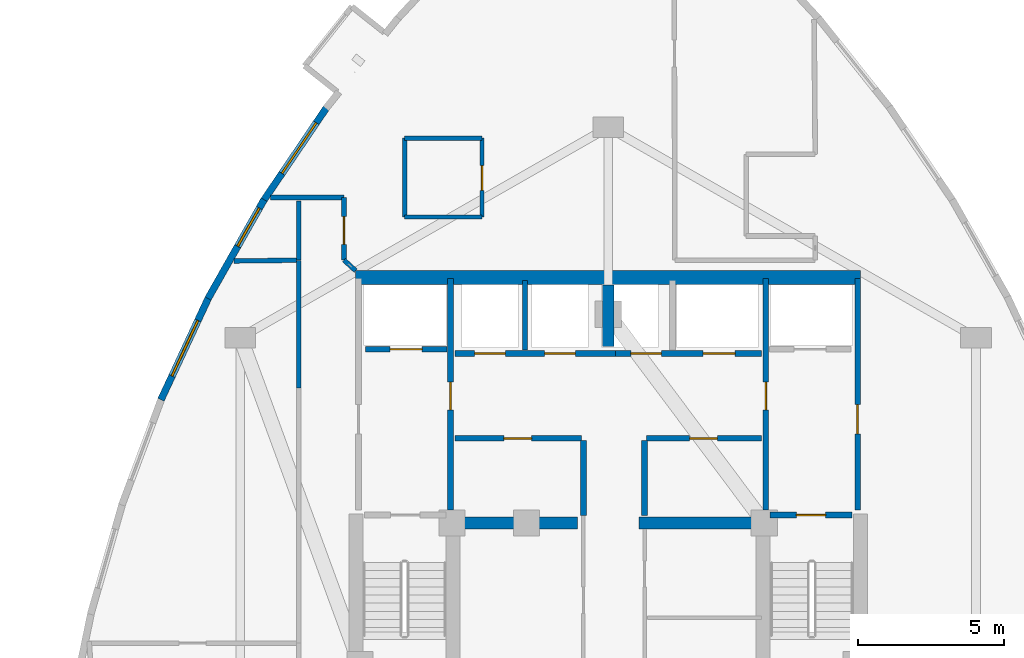
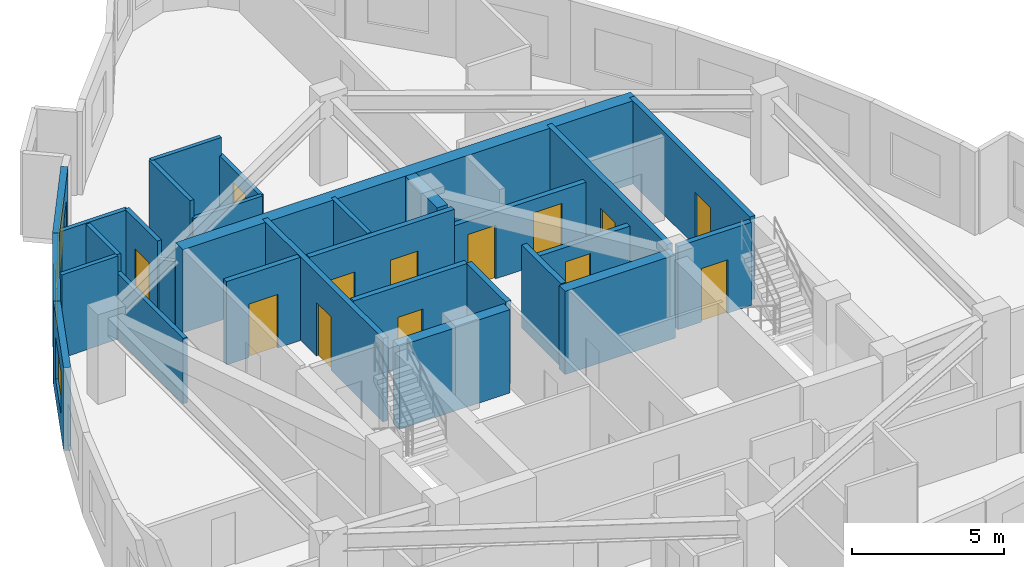
# One storey, part 9 of 12: 29 walls, 13 doors, 3 windows, 16 openings.
"""IFC4 building model written with IfcOpenShell, lengths in metres."""

from ifc_helpers import new_model, si_unit, direction, frame, frame_2d, origin, place, context, subcontext, project, spatial, rectangle, extrude, material, layer, layer_set, type_object, element, fill, save


model = new_model("IFC4")

# Units and contexts
model_context = context("Model", 3, precision=1e-05, world=origin(), true_north=direction((0.0, 1.0)))
body_context = subcontext(model_context, "Body", "Model", "MODEL_VIEW")
ifc_project = project(units=[si_unit("LENGTHUNIT", "METRE"), si_unit("AREAUNIT", "SQUARE_METRE"), si_unit("VOLUMEUNIT", "CUBIC_METRE"), si_unit("PLANEANGLEUNIT", "RADIAN"), si_unit("MASSUNIT", "GRAM", prefix="KILO")], contexts=[model_context])

# Site, building, storey
site_placement = place(None, origin())
site = spatial("IfcSite", under=ifc_project, at=site_placement, CompositionType="ELEMENT")
building_placement = place(site_placement, origin())
building = spatial("IfcBuilding", under=site, at=building_placement, Name="Miruveldt Soraemaru", CompositionType="ELEMENT")
storey_placement = place(building_placement, frame((0.0, 0.0, 216.0)))
storey = spatial("IfcBuildingStorey", under=building, at=storey_placement, Name="L59", CompositionType="ELEMENT", Elevation=216.0)

# Walls
ifc_material_1 = material(Name="Concrete C70/85 (70 MPa)", Category="concrete")
ifc_layer_1 = layer(ifc_material_1, 0.5, Name="Concrete C70/85 (70 MPa)", Category="concrete")
ifc_layer_set_1 = layer_set([ifc_layer_1], Name="Concrete C70/85 (70 MPa)")
wall_type_1 = type_object("IfcWallType", Name="WALL-BW-500", PredefinedType="SHEAR", material=ifc_layer_set_1)
wall_1_placement = place(storey_placement, frame((44.0, 50.10009765625, 0.0), z_axis=(0.0, 0.0, 1.0), x_axis=(0.0, 1.0, 0.0)))
element("IfcWall", 1, at=wall_1_placement, inside=storey, type_object=wall_type_1, Name="L59 Core Buttress Shear Wall BN", PredefinedType="SHEAR", context=body_context, shape_type="SweptSolid", body=[
    extrude(rectangle(XDim=2.099853515625, YDim=0.39990234375, at=frame_2d((1.0498046875, 0.0))), origin(), (0.0, 0.0, 1.0), 3.344970703125),
])
for number, where, z_axis, x_axis, name in (
    (2, (38.75, 44.050048828125, 0.0), (0.0, 0.0, 1.0), (1.0, 0.0, 0.0), "L59 Core Buttress Shear Wall BW"),
    (3, (45.050048828125, 44.050048828125, 0.0), (0.0, 0.0, 1.0), (1.0, 0.0, 0.0), "L59 Core Buttress Shear Wall BE"),
):
    element("IfcWall", number, at=place(storey_placement, frame(where, z_axis=z_axis, x_axis=x_axis)), inside=storey, type_object=wall_type_1, Name=name, PredefinedType="SHEAR", context=body_context, shape_type="SweptSolid", body=[
        extrude(rectangle(XDim=4.199951171875, YDim=0.39990234375, at=frame_2d((2.10009765625, 0.0))), origin(), (0.0, 0.0, 1.0), 3.344970703125),
    ])
ifc_material_2 = material(Name="Concrete C60/75 (60 MPa)", Category="concrete")
ifc_layer_2 = layer(ifc_material_2, 0.47998046875, Name="Concrete C60/75 (60 MPa)", Category="concrete")
ifc_layer_set_2 = layer_set([ifc_layer_2], Name="Concrete C60/75 (60 MPa)")
wall_type_2 = type_object("IfcWallType", Name="WALL-CW-480", PredefinedType="SHEAR", material=ifc_layer_set_2)
wall_2_placement = place(storey_placement, frame((35.35009765625, 52.449951171875, 0.0), z_axis=(0.0, 0.0, 1.0), x_axis=(1.0, 0.0, 0.0)))
element("IfcWall", 4, at=wall_2_placement, inside=storey, type_object=wall_type_2, Name="L59 Central Core Shear Wall N", PredefinedType="SHEAR", context=body_context, shape_type="SweptSolid", body=[
    extrude(rectangle(XDim=17.2998046875, YDim=0.47998046875, at=frame_2d((8.64990234375, 0.0))), origin(), (0.0, 0.0, 1.0), 3.344970703125),
])

# Wall, opening, window
ifc_material_3 = material(Name="Precast concrete C45/55 (45 MPa)", Category="concrete")
ifc_layer_3 = layer(ifc_material_3, 0.239990234375, Name="Precast concrete C45/55 (45 MPa)", Category="concrete")
ifc_layer_set_3 = layer_set([ifc_layer_3], Name="Precast concrete C45/55 (45 MPa)")
wall_type_3 = type_object("IfcWallType", Name="WALL-EXT-PC240", PredefinedType="SOLIDWALL", material=ifc_layer_set_3)
wall_3_placement = place(storey_placement, frame((34.3720703125, 58.307373046875, 0.0), z_axis=(0.0, 0.0, 1.0), x_axis=(-0.560812313673, -0.827942962306, 0.0)))
wall_3 = element("IfcWall", 5, at=wall_3_placement, inside=storey, type_object=wall_type_3, Name="L59 Precast Concrete Facade Wall 9", PredefinedType="SOLIDWALL", context=body_context, shape_type="SweptSolid", body=[
    extrude(rectangle(XDim=3.917236328125, YDim=0.239990234375, at=frame_2d((1.95849609375, 0.0))), origin(), (0.0, 0.0, 1.0), 3.344970703125),
])
opening_1_placement = place(wall_3_placement, frame((0.660888671875, 0.0, 0.800048828125)))
opening_1 = element("IfcOpeningElement", 6, at=opening_1_placement, cuts=wall_3, Name="Opening WN-1", PredefinedType="OPENING", context=body_context, shape_type="SweptSolid", body=[
    extrude(rectangle(XDim=2.10009765625, YDim=1.699951171875, at=frame_2d((1.050048828125, 0.85009765625))), frame((0.0, 0.1298828125, 0.0), z_axis=(0.0, -1.0, 0.0), x_axis=(1.0, 0.0, 0.0)), (0.0, 0.0, 1.0), 0.260009765625),
])
ifc_material_4 = material(Name="Triple low-e insulated glazing", Category="glass")
window_type_1 = type_object("IfcWindowType", Name="WIN-PUNCH-2100x1700", PartitioningType="SINGLE_PANEL", PredefinedType="WINDOW", material=ifc_material_4)
window_1_placement = place(opening_1_placement, origin())
window_1 = element("IfcWindow", 7, at=window_1_placement, inside=storey, type_object=window_type_1, Name="L59 Punched Triple-Glazed Window 09.1", OverallHeight=1.699951171875, OverallWidth=2.10009765625, PartitioningType="SINGLE_PANEL", PredefinedType="WINDOW", context=body_context, shape_type="SweptSolid", body=[
    extrude(rectangle(XDim=2.10009765625, YDim=1.699951171875, at=frame_2d((1.050048828125, 0.85009765625))), frame((0.0, 0.030029296875, 0.0), z_axis=(0.0, -1.0, 0.0), x_axis=(1.0, 0.0, 0.0)), (0.0, 0.0, 1.0), 0.06005859375),
])
fill(opening_1, window_1)

wall_4_placement = place(storey_placement, frame((32.212158203125, 55.123779296875, 0.0), z_axis=(0.0, 0.0, 1.0), x_axis=(-0.493340105608, -0.869836501993, 0.0)))
wall_4 = element("IfcWall", 8, at=wall_4_placement, inside=storey, type_object=wall_type_3, Name="L59 Precast Concrete Facade Wall 10", PredefinedType="SOLIDWALL", context=body_context, shape_type="SweptSolid", body=[
    extrude(rectangle(XDim=3.892578125, YDim=0.239990234375, at=frame_2d((1.9462890625, 0.0))), origin(), (0.0, 0.0, 1.0), 3.344970703125),
])
opening_2_placement = place(wall_4_placement, frame((0.33203125, 0.0, 0.800048828125)))
opening_2 = element("IfcOpeningElement", 9, at=opening_2_placement, cuts=wall_4, Name="Opening WN-3", PredefinedType="OPENING", context=body_context, shape_type="SweptSolid", body=[
    extrude(rectangle(XDim=1.5, YDim=1.60009765625, at=frame_2d((0.75, 0.800048828125))), frame((0.0, 0.1298828125, 0.0), z_axis=(0.0, -1.0, 0.0), x_axis=(1.0, 0.0, 0.0)), (0.0, 0.0, 1.0), 0.260009765625),
])
window_type_2 = type_object("IfcWindowType", Name="WIN-PUNCH-1500x1600", PartitioningType="SINGLE_PANEL", PredefinedType="WINDOW", material=ifc_material_4)
window_2_placement = place(opening_2_placement, origin())
window_2 = element("IfcWindow", 10, at=window_2_placement, inside=storey, type_object=window_type_2, Name="L59 Punched Triple-Glazed Window 10.1", OverallHeight=1.60009765625, OverallWidth=1.5, PartitioningType="SINGLE_PANEL", PredefinedType="WINDOW", context=body_context, shape_type="SweptSolid", body=[
    extrude(rectangle(XDim=1.5, YDim=1.60009765625, at=frame_2d((0.75, 0.800048828125))), frame((0.0, 0.030029296875, 0.0), z_axis=(0.0, -1.0, 0.0), x_axis=(1.0, 0.0, 0.0)), (0.0, 0.0, 1.0), 0.06005859375),
])
fill(opening_2, window_2)

wall_5_placement = place(storey_placement, frame((30.32373046875, 51.7998046875, 0.0), z_axis=(0.0, 0.0, 1.0), x_axis=(-0.422332612053, -0.906440932878, 0.0)))
wall_5 = element("IfcWall", 11, at=wall_5_placement, inside=storey, type_object=wall_type_3, Name="L59 Precast Concrete Facade Wall 11", PredefinedType="SOLIDWALL", context=body_context, shape_type="SweptSolid", body=[
    extrude(rectangle(XDim=3.892822265625, YDim=0.239990234375, at=frame_2d((1.9462890625, 0.0))), origin(), (0.0, 0.0, 1.0), 3.344970703125),
])
opening_3_placement = place(wall_5_placement, frame((0.89697265625, 0.0, 0.800048828125)))
opening_3 = element("IfcOpeningElement", 12, at=opening_3_placement, cuts=wall_5, Name="Opening WN-1", PredefinedType="OPENING", context=body_context, shape_type="SweptSolid", body=[
    extrude(rectangle(XDim=2.10009765625, YDim=1.699951171875, at=frame_2d((1.050048828125, 0.85009765625))), frame((0.0, 0.1298828125, 0.0), z_axis=(0.0, -1.0, 0.0), x_axis=(1.0, 0.0, 0.0)), (0.0, 0.0, 1.0), 0.260009765625),
])
window_3_placement = place(opening_3_placement, origin())
window_3 = element("IfcWindow", 13, at=window_3_placement, inside=storey, type_object=window_type_1, Name="L59 Punched Triple-Glazed Window 11.1", OverallHeight=1.699951171875, OverallWidth=2.10009765625, PartitioningType="SINGLE_PANEL", PredefinedType="WINDOW", context=body_context, shape_type="SweptSolid", body=[
    extrude(rectangle(XDim=2.10009765625, YDim=1.699951171875, at=frame_2d((1.050048828125, 0.85009765625))), frame((0.0, 0.030029296875, 0.0), z_axis=(0.0, -1.0, 0.0), x_axis=(1.0, 0.0, 0.0)), (0.0, 0.0, 1.0), 0.06005859375),
])
fill(opening_3, window_3)

# Wall, opening, door
ifc_material_5 = material(Name="Gypsum plasterboard lining", Category="gypsum")
ifc_layer_4 = layer(ifc_material_5, 0.14990234375, Name="Gypsum plasterboard lining", Category="gypsum")
ifc_layer_set_4 = layer_set([ifc_layer_4], Name="Gypsum plasterboard lining")
wall_type_4 = type_object("IfcWallType", Name="WALL-INT-PLUMB", PredefinedType="PLUMBINGWALL", material=ifc_layer_set_4)
wall_6_placement = place(storey_placement, frame((39.679931640625, 54.530029296875, 0.0), z_axis=(0.0, 0.0, 1.0), x_axis=(0.0, 1.0, 0.0)))
wall_6 = element("IfcWall", 14, at=wall_6_placement, inside=storey, type_object=wall_type_4, Name="L59 Partition Wall 13", PredefinedType="PLUMBINGWALL", context=body_context, shape_type="SweptSolid", body=[
    extrude(rectangle(XDim=2.699951171875, YDim=0.14990234375, at=frame_2d((1.35009765625, 0.0))), origin(), (0.0, 0.0, 1.0), 2.633056640625),
])
opening_4_placement = place(wall_6_placement, frame((0.909912109375, 0.0, 0.0)))
opening_4 = element("IfcOpeningElement", 15, at=opening_4_placement, cuts=wall_6, Name="Opening FD3", PredefinedType="OPENING", context=body_context, shape_type="SweptSolid", body=[
    extrude(rectangle(XDim=0.85009765625, YDim=2.10009765625, at=frame_2d((0.425048828125, 1.050048828125))), frame((0.0, 0.0849609375, 0.0), z_axis=(0.0, -1.0, 0.0), x_axis=(1.0, 0.0, 0.0)), (0.0, 0.0, 1.0), 0.169921875),
])
ifc_material_6 = material(Name="Anodised aluminium EN AW-6063 T6", Category="aluminium")
door_type_1 = type_object("IfcDoorType", Name="DOOR-FD3-850", OperationType="NOTDEFINED", PredefinedType="DOOR", material=ifc_material_6)
door_1_placement = place(opening_4_placement, origin())
door_1 = element("IfcDoor", 16, at=door_1_placement, inside=storey, type_object=door_type_1, Name="L59 Unit 5901 BTH Door", OperationType="SINGLE_SWING_LEFT", OverallHeight=2.10009765625, OverallWidth=0.85009765625, PredefinedType="DOOR", context=body_context, shape_type="SweptSolid", body=[
    extrude(rectangle(XDim=0.85009765625, YDim=2.10009765625, at=frame_2d((0.425048828125, 1.050048828125))), frame((0.0, 0.02490234375, 0.0), z_axis=(0.0, -1.0, 0.0), x_axis=(1.0, 0.0, 0.0)), (0.0, 0.0, 1.0), 0.050048828125),
])
fill(opening_4, door_1)

# Walls
wall_7_placement = place(storey_placement, frame((37.030029296875, 57.22998046875, 0.0), z_axis=(0.0, 0.0, 1.0), x_axis=(0.0, -1.0, 0.0)))
element("IfcWall", 17, at=wall_7_placement, inside=storey, type_object=wall_type_4, Name="L59 Partition Wall 15", PredefinedType="PLUMBINGWALL", context=body_context, shape_type="SweptSolid", body=[
    extrude(rectangle(XDim=2.699951171875, YDim=0.14990234375, at=frame_2d((1.35009765625, 0.0))), origin(), (0.0, 0.0, 1.0), 3.344970703125),
])
wall_8_placement = place(storey_placement, frame((39.679931640625, 57.22998046875, 0.0), z_axis=(0.0, 0.0, 1.0), x_axis=(-1.0, 0.0, 0.0)))
element("IfcWall", 18, at=wall_8_placement, inside=storey, type_object=wall_type_4, Name="L59 Partition Wall 14", PredefinedType="PLUMBINGWALL", context=body_context, shape_type="SweptSolid", body=[
    extrude(rectangle(XDim=2.64990234375, YDim=0.14990234375, at=frame_2d((1.324951171875, 0.0))), origin(), (0.0, 0.0, 1.0), 3.344970703125),
])
wall_9_placement = place(storey_placement, frame((37.030029296875, 54.530029296875, 0.0), z_axis=(0.0, 0.0, 1.0), x_axis=(1.0, 0.0, 0.0)))
element("IfcWall", 19, at=wall_9_placement, inside=storey, type_object=wall_type_4, Name="L59 Partition Wall 16", PredefinedType="PLUMBINGWALL", context=body_context, shape_type="SweptSolid", body=[
    extrude(rectangle(XDim=2.64990234375, YDim=0.14990234375, at=frame_2d((1.324951171875, 0.0))), origin(), (0.0, 0.0, 1.0), 2.633056640625),
])

# Wall, opening, door
ifc_material_7 = material(Name="Concrete C40/50 (40 MPa)", Category="concrete")
ifc_layer_5 = layer(ifc_material_7, 0.159912109375, Name="Concrete C40/50 (40 MPa)", Category="concrete")
ifc_layer_set_5 = layer_set([ifc_layer_5], Name="Concrete C40/50 (40 MPa)")
wall_type_5 = type_object("IfcWallType", Name="WALL-INT-RC160", PredefinedType="SOLIDWALL", material=ifc_layer_set_5)
wall_10_placement = place(storey_placement, frame((34.949951171875, 53.055908203125, 0.0), z_axis=(0.0, 0.0, 1.0), x_axis=(0.0, 1.0, 0.0)))
wall_10 = element("IfcWall", 20, at=wall_10_placement, inside=storey, type_object=wall_type_5, Name="L59 Partition Wall 1", PredefinedType="SOLIDWALL", context=body_context, shape_type="SweptSolid", body=[
    extrude(rectangle(XDim=2.14404296875, YDim=0.159912109375, at=frame_2d((1.072021484375, 0.0))), origin(), (0.0, 0.0, 1.0), 3.344970703125),
])
opening_5_placement = place(wall_10_placement, frame((0.534912109375, 0.0, 0.0)))
opening_5 = element("IfcOpeningElement", 21, at=opening_5_placement, cuts=wall_10, Name="Opening FD2", PredefinedType="OPENING", context=body_context, shape_type="SweptSolid", body=[
    extrude(rectangle(XDim=0.949951171875, YDim=2.14990234375, at=frame_2d((0.47509765625, 1.074951171875))), frame((0.0, 0.08984375, 0.0), z_axis=(0.0, -1.0, 0.0), x_axis=(1.0, 0.0, 0.0)), (0.0, 0.0, 1.0), 0.179931640625),
])
door_type_2 = type_object("IfcDoorType", Name="DOOR-FD2-950", OperationType="NOTDEFINED", PredefinedType="DOOR", material=ifc_material_6)
door_2_placement = place(opening_5_placement, origin())
door_2 = element("IfcDoor", 22, at=door_2_placement, inside=storey, type_object=door_type_2, Name="L59 Unit 5901 Entrance Fire Door", OperationType="SINGLE_SWING_RIGHT", OverallHeight=2.14990234375, OverallWidth=0.949951171875, PredefinedType="DOOR", context=body_context, shape_type="SweptSolid", body=[
    extrude(rectangle(XDim=0.949951171875, YDim=2.14990234375, at=frame_2d((0.47509765625, 1.074951171875))), frame((0.0, 0.02490234375, 0.0), z_axis=(0.0, -1.0, 0.0), x_axis=(1.0, 0.0, 0.0)), (0.0, 0.0, 1.0), 0.050048828125),
])
fill(opening_5, door_2)

# Walls
wall_11_placement = place(storey_placement, frame((33.39990234375, 53.047119140625, 0.0), z_axis=(0.0, 0.0, 1.0), x_axis=(0.0, -1.0, 0.0)))
element("IfcWall", 23, at=wall_11_placement, inside=storey, type_object=wall_type_5, Name="L59 Partition Wall 4", PredefinedType="SOLIDWALL", context=body_context, shape_type="SweptSolid", body=[
    extrude(rectangle(XDim=4.369140625, YDim=0.159912109375, at=frame_2d((2.1845703125, 0.0))), origin(), (0.0, 0.0, 1.0), 2.633056640625),
])
wall_12_placement = place(storey_placement, frame((34.949951171875, 55.199951171875, 0.0), z_axis=(0.0, 0.0, 1.0), x_axis=(-1.0, 0.0, 0.0)))
element("IfcWall", 24, at=wall_12_placement, inside=storey, type_object=wall_type_5, Name="L59 Partition Wall 2", PredefinedType="SOLIDWALL", context=body_context, shape_type="SweptSolid", body=[
    extrude(rectangle(XDim=2.52001953125, YDim=0.159912109375, at=frame_2d((1.260009765625, 0.0))), origin(), (0.0, 0.0, 1.0), 3.344970703125),
])
wall_13_placement = place(storey_placement, frame((41.14990234375, 49.97998046875, 0.0), z_axis=(0.0, 0.0, 1.0), x_axis=(0.0, 1.0, 0.0)))
element("IfcWall", 25, at=wall_13_placement, inside=storey, type_object=wall_type_5, Name="L59 Core Compartment Wall PLH-DIV1", PredefinedType="SOLIDWALL", context=body_context, shape_type="SweptSolid", body=[
    extrude(rectangle(XDim=2.3701171875, YDim=0.159912109375, at=frame_2d((1.18505859375, 0.0))), origin(), (0.0, 0.0, 1.0), 3.344970703125),
])
wall_14_placement = place(storey_placement, frame((31.177001953125, 53.02392578125, 0.0), z_axis=(0.0, 0.0, 1.0), x_axis=(0.999930960818, 0.011750472215, 0.0)))
element("IfcWall", 26, at=wall_14_placement, inside=storey, type_object=wall_type_5, Name="L59 Partition Wall 18", PredefinedType="SOLIDWALL", context=body_context, shape_type="SweptSolid", body=[
    extrude(rectangle(XDim=2.14013671875, YDim=0.159912109375, at=frame_2d((1.070068359375, 0.0))), origin(), (0.0, 0.0, 1.0), 3.344970703125),
])
wall_15_placement = place(storey_placement, frame((33.39990234375, 55.075927734375, 0.0), z_axis=(0.0, 0.0, 1.0), x_axis=(0.0, -1.0, 0.0)))
element("IfcWall", 27, at=wall_15_placement, inside=storey, type_object=wall_type_5, Name="L59 Partition Wall 3", PredefinedType="SOLIDWALL", context=body_context, shape_type="SweptSolid", body=[
    extrude(rectangle(XDim=2.02001953125, YDim=0.159912109375, at=frame_2d((1.010009765625, 0.0))), origin(), (0.0, 0.0, 1.0), 3.344970703125),
])
wall_16_placement = place(storey_placement, frame((34.949951171875, 53.055908203125, 0.0), z_axis=(0.0, 0.0, 1.0), x_axis=(0.737919899423, -0.674888303377, 0.0)))
element("IfcWall", 28, at=wall_16_placement, inside=storey, type_object=wall_type_5, Name="L59 Partition Closure Return 1", PredefinedType="SOLIDWALL", context=body_context, shape_type="SweptSolid", body=[
    extrude(rectangle(XDim=0.542236328125, YDim=0.159912109375, at=frame_2d((0.27099609375, 0.0))), origin(), (0.0, 0.0, 1.0), 2.633056640625),
])

# Wall, opening, door
ifc_layer_6 = layer(ifc_material_7, 0.199951171875, Name="Concrete C40/50 (40 MPa)", Category="concrete")
ifc_layer_set_6 = layer_set([ifc_layer_6], Name="Concrete C40/50 (40 MPa)")
wall_type_6 = type_object("IfcWallType", Name="WALL-INT-RC200", PredefinedType="SOLIDWALL", material=ifc_layer_set_6)
wall_17_placement = place(storey_placement, frame((52.550048828125, 44.5, 0.0), z_axis=(0.0, 0.0, 1.0), x_axis=(0.0, 1.0, 0.0)))
wall_17 = element("IfcWall", 29, at=wall_17_placement, inside=storey, type_object=wall_type_6, Name="L59 Core Compartment Wall FFE-OUT", PredefinedType="SOLIDWALL", context=body_context, shape_type="SweptSolid", body=[
    extrude(rectangle(XDim=7.919921875, YDim=0.199951171875, at=frame_2d((3.9599609375, 0.0))), origin(), (0.0, 0.0, 1.0), 3.344970703125),
])
opening_6_placement = place(wall_17_placement, frame((2.60009765625, 0.0, 0.0)))
opening_6 = element("IfcOpeningElement", 30, at=opening_6_placement, cuts=wall_17, Name="Opening FD1", PredefinedType="OPENING", context=body_context, shape_type="SweptSolid", body=[
    extrude(rectangle(XDim=1.0, YDim=2.14990234375, at=frame_2d((0.5, 1.074951171875))), frame((0.0, 0.10986328125, 0.0), z_axis=(0.0, -1.0, 0.0), x_axis=(1.0, 0.0, 0.0)), (0.0, 0.0, 1.0), 0.219970703125),
])
door_type_3 = type_object("IfcDoorType", Name="DOOR-FD1-1000", OperationType="NOTDEFINED", PredefinedType="DOOR", material=ifc_material_6)
door_3_placement = place(opening_6_placement, frame((1.0, 0.0, 0.0), z_axis=(0.0, 0.0, 1.0), x_axis=(-1.0, 0.0, 0.0)))
door_3 = element("IfcDoor", 31, at=door_3_placement, inside=storey, type_object=door_type_3, Name="L59 East Firefighting Lobby Exit Door", OperationType="SINGLE_SWING_RIGHT", OverallHeight=2.14990234375, OverallWidth=1.0, PredefinedType="DOOR", context=body_context, shape_type="SweptSolid", body=[
    extrude(rectangle(XDim=1.0, YDim=2.14990234375, at=frame_2d((0.5, 1.074951171875))), frame((0.0, 0.02490234375, 0.0), z_axis=(0.0, -1.0, 0.0), x_axis=(1.0, 0.0, 0.0)), (0.0, 0.0, 1.0), 0.050048828125),
])
fill(opening_6, door_3)

wall_18_placement = place(storey_placement, frame((38.60009765625, 44.5, 0.0), z_axis=(0.0, 0.0, 1.0), x_axis=(0.0, 1.0, 0.0)))
wall_18 = element("IfcWall", 32, at=wall_18_placement, inside=storey, type_object=wall_type_6, Name="L59 Core Compartment Wall FFW-IN", PredefinedType="SOLIDWALL", context=body_context, shape_type="SweptSolid", body=[
    extrude(rectangle(XDim=7.919921875, YDim=0.199951171875, at=frame_2d((3.9599609375, 0.0))), origin(), (0.0, 0.0, 1.0), 3.344970703125),
])
opening_7_placement = place(wall_18_placement, frame((3.425048828125, 0.0, 0.0)))
opening_7 = element("IfcOpeningElement", 33, at=opening_7_placement, cuts=wall_18, Name="Opening FD2", PredefinedType="OPENING", context=body_context, shape_type="SweptSolid", body=[
    extrude(rectangle(XDim=0.949951171875, YDim=2.14990234375, at=frame_2d((0.47509765625, 1.074951171875))), frame((0.0, 0.10986328125, 0.0), z_axis=(0.0, -1.0, 0.0), x_axis=(1.0, 0.0, 0.0)), (0.0, 0.0, 1.0), 0.219970703125),
])
door_4_placement = place(opening_7_placement, frame((0.949951171875, 0.0, 0.0), z_axis=(0.0, 0.0, 1.0), x_axis=(-1.0, 0.0, 0.0)))
door_4 = element("IfcDoor", 34, at=door_4_placement, inside=storey, type_object=door_type_2, Name="L59 Lift Lobby to West Fire Lobby Door", OperationType="SINGLE_SWING_RIGHT", OverallHeight=2.14990234375, OverallWidth=0.949951171875, PredefinedType="DOOR", context=body_context, shape_type="SweptSolid", body=[
    extrude(rectangle(XDim=0.949951171875, YDim=2.14990234375, at=frame_2d((0.47509765625, 1.074951171875))), frame((0.0, 0.02490234375, 0.0), z_axis=(0.0, -1.0, 0.0), x_axis=(1.0, 0.0, 0.0)), (0.0, 0.0, 1.0), 0.050048828125),
])
fill(opening_7, door_4)

wall_19_placement = place(storey_placement, frame((49.39990234375, 44.5, 0.0), z_axis=(0.0, 0.0, 1.0), x_axis=(0.0, 1.0, 0.0)))
wall_19 = element("IfcWall", 35, at=wall_19_placement, inside=storey, type_object=wall_type_6, Name="L59 Core Compartment Wall FFE-IN", PredefinedType="SOLIDWALL", context=body_context, shape_type="SweptSolid", body=[
    extrude(rectangle(XDim=7.919921875, YDim=0.199951171875, at=frame_2d((3.9599609375, 0.0))), origin(), (0.0, 0.0, 1.0), 3.344970703125),
])
opening_8_placement = place(wall_19_placement, frame((3.425048828125, 0.0, 0.0)))
opening_8 = element("IfcOpeningElement", 36, at=opening_8_placement, cuts=wall_19, Name="Opening FD2", PredefinedType="OPENING", context=body_context, shape_type="SweptSolid", body=[
    extrude(rectangle(XDim=0.949951171875, YDim=2.14990234375, at=frame_2d((0.47509765625, 1.074951171875))), frame((0.0, 0.10986328125, 0.0), z_axis=(0.0, -1.0, 0.0), x_axis=(1.0, 0.0, 0.0)), (0.0, 0.0, 1.0), 0.219970703125),
])
door_5_placement = place(opening_8_placement, origin())
door_5 = element("IfcDoor", 37, at=door_5_placement, inside=storey, type_object=door_type_2, Name="L59 Lift Lobby to East Fire Lobby Door", OperationType="SINGLE_SWING_LEFT", OverallHeight=2.14990234375, OverallWidth=0.949951171875, PredefinedType="DOOR", context=body_context, shape_type="SweptSolid", body=[
    extrude(rectangle(XDim=0.949951171875, YDim=2.14990234375, at=frame_2d((0.47509765625, 1.074951171875))), frame((0.0, 0.02490234375, 0.0), z_axis=(0.0, -1.0, 0.0), x_axis=(1.0, 0.0, 0.0)), (0.0, 0.0, 1.0), 0.050048828125),
])
fill(opening_8, door_5)

# Wall, openings, doors
wall_20_placement = place(storey_placement, frame((38.75, 49.85009765625, 0.0), z_axis=(0.0, 0.0, 1.0), x_axis=(1.0, 0.0, 0.0)))
wall_20 = element("IfcWall", 38, at=wall_20_placement, inside=storey, type_object=wall_type_6, Name="L59 Core Compartment Wall ROWA-SW", PredefinedType="SOLIDWALL", context=body_context, shape_type="SweptSolid", body=[
    extrude(rectangle(XDim=5.5, YDim=0.199951171875, at=frame_2d((2.75, 0.0))), origin(), (0.0, 0.0, 1.0), 3.344970703125),
])
opening_9_placement = place(wall_20_placement, frame((0.675048828125, 0.0, 0.0)))
opening_9 = element("IfcOpeningElement", 39, at=opening_9_placement, cuts=wall_20, Name="Opening LD1", PredefinedType="OPENING", context=body_context, shape_type="SweptSolid", body=[
    extrude(rectangle(XDim=1.050048828125, YDim=2.14990234375, at=frame_2d((0.52490234375, 1.074951171875))), frame((0.0, 0.10986328125, 0.0), z_axis=(0.0, -1.0, 0.0), x_axis=(1.0, 0.0, 0.0)), (0.0, 0.0, 1.0), 0.219970703125),
])
opening_10_placement = place(wall_20_placement, frame((3.074951171875, 0.0, 0.0)))
opening_10 = element("IfcOpeningElement", 40, at=opening_10_placement, cuts=wall_20, Name="Opening LD1", PredefinedType="OPENING", context=body_context, shape_type="SweptSolid", body=[
    extrude(rectangle(XDim=1.050048828125, YDim=2.14990234375, at=frame_2d((0.52490234375, 1.074951171875))), frame((0.0, 0.10986328125, 0.0), z_axis=(0.0, -1.0, 0.0), x_axis=(1.0, 0.0, 0.0)), (0.0, 0.0, 1.0), 0.219970703125),
])
door_type_4 = type_object("IfcDoorType", Name="DOOR-LD1-1050", OperationType="SLIDING_TO_LEFT", PredefinedType="DOOR", material=ifc_material_6)
door_6_placement = place(opening_9_placement, origin())
door_6 = element("IfcDoor", 41, at=door_6_placement, inside=storey, type_object=door_type_4, Name="L59 PL-H1 Landing Door", OperationType="SLIDING_TO_LEFT", OverallHeight=2.14990234375, OverallWidth=1.050048828125, PredefinedType="DOOR", context=body_context, shape_type="SweptSolid", body=[
    extrude(rectangle(XDim=1.050048828125, YDim=2.14990234375, at=frame_2d((0.52490234375, 1.074951171875))), frame((0.0, 0.02490234375, 0.0), z_axis=(0.0, -1.0, 0.0), x_axis=(1.0, 0.0, 0.0)), (0.0, 0.0, 1.0), 0.050048828125),
])
fill(opening_9, door_6)
door_7_placement = place(opening_10_placement, origin())
door_7 = element("IfcDoor", 42, at=door_7_placement, inside=storey, type_object=door_type_4, Name="L59 PL-H2 Landing Door", OperationType="SLIDING_TO_LEFT", OverallHeight=2.14990234375, OverallWidth=1.050048828125, PredefinedType="DOOR", context=body_context, shape_type="SweptSolid", body=[
    extrude(rectangle(XDim=1.050048828125, YDim=2.14990234375, at=frame_2d((0.52490234375, 1.074951171875))), frame((0.0, 0.02490234375, 0.0), z_axis=(0.0, -1.0, 0.0), x_axis=(1.0, 0.0, 0.0)), (0.0, 0.0, 1.0), 0.050048828125),
])
fill(opening_10, door_7)

wall_21_placement = place(storey_placement, frame((44.25, 49.85009765625, 0.0), z_axis=(0.0, 0.0, 1.0), x_axis=(1.0, 0.0, 0.0)))
wall_21 = element("IfcWall", 43, at=wall_21_placement, inside=storey, type_object=wall_type_6, Name="L59 Core Compartment Wall ROWA-SE", PredefinedType="SOLIDWALL", context=body_context, shape_type="SweptSolid", body=[
    extrude(rectangle(XDim=5.0, YDim=0.199951171875, at=frame_2d((2.5, 0.0))), origin(), (0.0, 0.0, 1.0), 2.68310546875),
])
opening_11_placement = place(wall_21_placement, frame((0.52490234375, 0.0, 0.0)))
opening_11 = element("IfcOpeningElement", 44, at=opening_11_placement, cuts=wall_21, Name="Opening LD1", PredefinedType="OPENING", context=body_context, shape_type="SweptSolid", body=[
    extrude(rectangle(XDim=1.050048828125, YDim=2.14990234375, at=frame_2d((0.52490234375, 1.074951171875))), frame((0.0, 0.10986328125, 0.0), z_axis=(0.0, -1.0, 0.0), x_axis=(1.0, 0.0, 0.0)), (0.0, 0.0, 1.0), 0.219970703125),
])
opening_12_placement = place(wall_21_placement, frame((3.0, 0.0, 0.0)))
opening_12 = element("IfcOpeningElement", 45, at=opening_12_placement, cuts=wall_21, Name="Opening LD2", PredefinedType="OPENING", context=body_context, shape_type="SweptSolid", body=[
    extrude(rectangle(XDim=1.10009765625, YDim=2.14990234375, at=frame_2d((0.550048828125, 1.074951171875))), frame((0.0, 0.10986328125, 0.0), z_axis=(0.0, -1.0, 0.0), x_axis=(1.0, 0.0, 0.0)), (0.0, 0.0, 1.0), 0.219970703125),
])
door_8_placement = place(opening_11_placement, origin())
door_8 = element("IfcDoor", 46, at=door_8_placement, inside=storey, type_object=door_type_4, Name="L59 PL-H3 Landing Door", OperationType="SLIDING_TO_LEFT", OverallHeight=2.14990234375, OverallWidth=1.050048828125, PredefinedType="DOOR", context=body_context, shape_type="SweptSolid", body=[
    extrude(rectangle(XDim=1.050048828125, YDim=2.14990234375, at=frame_2d((0.52490234375, 1.074951171875))), frame((0.0, 0.02490234375, 0.0), z_axis=(0.0, -1.0, 0.0), x_axis=(1.0, 0.0, 0.0)), (0.0, 0.0, 1.0), 0.050048828125),
])
fill(opening_11, door_8)
door_type_5 = type_object("IfcDoorType", Name="DOOR-LD2-1100", OperationType="SLIDING_TO_LEFT", PredefinedType="DOOR", material=ifc_material_6)
door_9_placement = place(opening_12_placement, origin())
door_9 = element("IfcDoor", 47, at=door_9_placement, inside=storey, type_object=door_type_5, Name="L59 SL-1 Landing Door", OperationType="SLIDING_TO_LEFT", OverallHeight=2.14990234375, OverallWidth=1.10009765625, PredefinedType="DOOR", context=body_context, shape_type="SweptSolid", body=[
    extrude(rectangle(XDim=1.10009765625, YDim=2.14990234375, at=frame_2d((0.550048828125, 1.074951171875))), frame((0.0, 0.02490234375, 0.0), z_axis=(0.0, -1.0, 0.0), x_axis=(1.0, 0.0, 0.0)), (0.0, 0.0, 1.0), 0.050048828125),
])
fill(opening_12, door_9)

# Wall, opening, door
wall_22_placement = place(storey_placement, frame((38.75, 46.949951171875, 0.0), z_axis=(0.0, 0.0, 1.0), x_axis=(1.0, 0.0, 0.0)))
wall_22 = element("IfcWall", 48, at=wall_22_placement, inside=storey, type_object=wall_type_6, Name="L59 Core Compartment Wall MBW-N", PredefinedType="SOLIDWALL", context=body_context, shape_type="SweptSolid", body=[
    extrude(rectangle(XDim=4.330078125, YDim=0.199951171875, at=frame_2d((2.1650390625, 0.0))), origin(), (0.0, 0.0, 1.0), 3.344970703125),
])
opening_13_placement = place(wall_22_placement, frame((1.675048828125, 0.0, 0.0)))
opening_13 = element("IfcOpeningElement", 49, at=opening_13_placement, cuts=wall_22, Name="Opening D2", PredefinedType="OPENING", context=body_context, shape_type="SweptSolid", body=[
    extrude(rectangle(XDim=0.949951171875, YDim=2.10009765625, at=frame_2d((0.47509765625, 1.050048828125))), frame((0.0, 0.10986328125, 0.0), z_axis=(0.0, -1.0, 0.0), x_axis=(1.0, 0.0, 0.0)), (0.0, 0.0, 1.0), 0.219970703125),
])
door_type_6 = type_object("IfcDoorType", Name="DOOR-INT-950", OperationType="NOTDEFINED", PredefinedType="DOOR", material=ifc_material_6)
door_10_placement = place(opening_13_placement, origin())
door_10 = element("IfcDoor", 50, at=door_10_placement, inside=storey, type_object=door_type_6, Name="L59 Fire Door", OperationType="SINGLE_SWING_LEFT", OverallHeight=2.10009765625, OverallWidth=0.949951171875, PredefinedType="DOOR", context=body_context, shape_type="SweptSolid", body=[
    extrude(rectangle(XDim=0.949951171875, YDim=2.10009765625, at=frame_2d((0.47509765625, 1.050048828125))), frame((0.0, 0.02490234375, 0.0), z_axis=(0.0, -1.0, 0.0), x_axis=(1.0, 0.0, 0.0)), (0.0, 0.0, 1.0), 0.050048828125),
])
fill(opening_13, door_10)

wall_23_placement = place(storey_placement, frame((45.320068359375, 46.949951171875, 0.0), z_axis=(0.0, 0.0, 1.0), x_axis=(1.0, 0.0, 0.0)))
wall_23 = element("IfcWall", 51, at=wall_23_placement, inside=storey, type_object=wall_type_6, Name="L59 Core Compartment Wall MBE-N", PredefinedType="SOLIDWALL", context=body_context, shape_type="SweptSolid", body=[
    extrude(rectangle(XDim=3.929931640625, YDim=0.199951171875, at=frame_2d((1.96484375, 0.0))), origin(), (0.0, 0.0, 1.0), 2.68310546875),
])
opening_14_placement = place(wall_23_placement, frame((1.47509765625, 0.0, 0.0)))
opening_14 = element("IfcOpeningElement", 52, at=opening_14_placement, cuts=wall_23, Name="Opening D2", PredefinedType="OPENING", context=body_context, shape_type="SweptSolid", body=[
    extrude(rectangle(XDim=0.949951171875, YDim=2.10009765625, at=frame_2d((0.47509765625, 1.050048828125))), frame((0.0, 0.10986328125, 0.0), z_axis=(0.0, -1.0, 0.0), x_axis=(1.0, 0.0, 0.0)), (0.0, 0.0, 1.0), 0.219970703125),
])
door_11_placement = place(opening_14_placement, origin())
door_11 = element("IfcDoor", 53, at=door_11_placement, inside=storey, type_object=door_type_6, Name="L59 Fire Door", OperationType="SINGLE_SWING_LEFT", OverallHeight=2.10009765625, OverallWidth=0.949951171875, PredefinedType="DOOR", context=body_context, shape_type="SweptSolid", body=[
    extrude(rectangle(XDim=0.949951171875, YDim=2.10009765625, at=frame_2d((0.47509765625, 1.050048828125))), frame((0.0, 0.02490234375, 0.0), z_axis=(0.0, -1.0, 0.0), x_axis=(1.0, 0.0, 0.0)), (0.0, 0.0, 1.0), 0.050048828125),
])
fill(opening_14, door_11)

wall_24_placement = place(storey_placement, frame((49.550048828125, 44.320068359375, 0.0), z_axis=(0.0, 0.0, 1.0), x_axis=(1.0, 0.0, 0.0)))
wall_24 = element("IfcWall", 54, at=wall_24_placement, inside=storey, type_object=wall_type_6, Name="L59 Core Compartment Wall ST2-N", PredefinedType="SOLIDWALL", context=body_context, shape_type="SweptSolid", body=[
    extrude(rectangle(XDim=2.800048828125, YDim=0.199951171875, at=frame_2d((1.39990234375, 0.0))), origin(), (0.0, 0.0, 1.0), 3.344970703125),
])
opening_15_placement = place(wall_24_placement, frame((0.89990234375, 0.0, 0.0)))
opening_15 = element("IfcOpeningElement", 55, at=opening_15_placement, cuts=wall_24, Name="Opening FD1", PredefinedType="OPENING", context=body_context, shape_type="SweptSolid", body=[
    extrude(rectangle(XDim=1.0, YDim=2.14990234375, at=frame_2d((0.5, 1.074951171875))), frame((0.0, 0.10986328125, 0.0), z_axis=(0.0, -1.0, 0.0), x_axis=(1.0, 0.0, 0.0)), (0.0, 0.0, 1.0), 0.219970703125),
])
door_12_placement = place(opening_15_placement, frame((1.0, 0.0, 0.0), z_axis=(0.0, 0.0, 1.0), x_axis=(-1.0, 0.0, 0.0)))
door_12 = element("IfcDoor", 56, at=door_12_placement, inside=storey, type_object=door_type_3, Name="L59 Stair ST-2 Fire Door", OperationType="SINGLE_SWING_RIGHT", OverallHeight=2.14990234375, OverallWidth=1.0, PredefinedType="DOOR", context=body_context, shape_type="SweptSolid", body=[
    extrude(rectangle(XDim=1.0, YDim=2.14990234375, at=frame_2d((0.5, 1.074951171875))), frame((0.0, 0.02490234375, 0.0), z_axis=(0.0, -1.0, 0.0), x_axis=(1.0, 0.0, 0.0)), (0.0, 0.0, 1.0), 0.050048828125),
])
fill(opening_15, door_12)

wall_25_placement = place(storey_placement, frame((35.679931640625, 50.0, 0.0), z_axis=(0.0, 0.0, 1.0), x_axis=(1.0, 0.0, 0.0)))
wall_25 = element("IfcWall", 57, at=wall_25_placement, inside=storey, type_object=wall_type_6, Name="L59 Core Compartment Wall FFL1-S", PredefinedType="SOLIDWALL", context=body_context, shape_type="SweptSolid", body=[
    extrude(rectangle(XDim=2.800048828125, YDim=0.199951171875, at=frame_2d((1.39990234375, 0.0))), origin(), (0.0, 0.0, 1.0), 3.344970703125),
])
opening_16_placement = place(wall_25_placement, frame((0.85009765625, 0.0, 0.0)))
opening_16 = element("IfcOpeningElement", 58, at=opening_16_placement, cuts=wall_25, Name="Opening LD2", PredefinedType="OPENING", context=body_context, shape_type="SweptSolid", body=[
    extrude(rectangle(XDim=1.10009765625, YDim=2.14990234375, at=frame_2d((0.550048828125, 1.074951171875))), frame((0.0, 0.10986328125, 0.0), z_axis=(0.0, -1.0, 0.0), x_axis=(1.0, 0.0, 0.0)), (0.0, 0.0, 1.0), 0.219970703125),
])
door_13_placement = place(opening_16_placement, origin())
door_13 = element("IfcDoor", 59, at=door_13_placement, inside=storey, type_object=door_type_5, Name="L59 FFL-1 Landing Door", OperationType="SLIDING_TO_LEFT", OverallHeight=2.14990234375, OverallWidth=1.10009765625, PredefinedType="DOOR", context=body_context, shape_type="SweptSolid", body=[
    extrude(rectangle(XDim=1.10009765625, YDim=2.14990234375, at=frame_2d((0.550048828125, 1.074951171875))), frame((0.0, 0.02490234375, 0.0), z_axis=(0.0, -1.0, 0.0), x_axis=(1.0, 0.0, 0.0)), (0.0, 0.0, 1.0), 0.050048828125),
])
fill(opening_16, door_13)

# Walls
for number, where, z_axis, x_axis, name in (
    (60, (43.14990234375, 44.300048828125, 0.0), (0.0, 0.0, 1.0), (0.0, 1.0, 0.0), "L59 Core Compartment Wall SP-WB"),
    (61, (45.25, 44.300048828125, 0.0), (0.0, 0.0, 1.0), (0.0, 1.0, 0.0), "L59 Core Compartment Wall SP-EB"),
):
    element("IfcWall", number, at=place(storey_placement, frame(where, z_axis=z_axis, x_axis=x_axis)), inside=storey, type_object=wall_type_6, Name=name, PredefinedType="SOLIDWALL", context=body_context, shape_type="SweptSolid", body=[
        extrude(rectangle(XDim=2.579833984375, YDim=0.199951171875, at=frame_2d((1.2900390625, 0.0))), origin(), (0.0, 0.0, 1.0), 3.344970703125),
    ])

save(model, "model.ifc")
